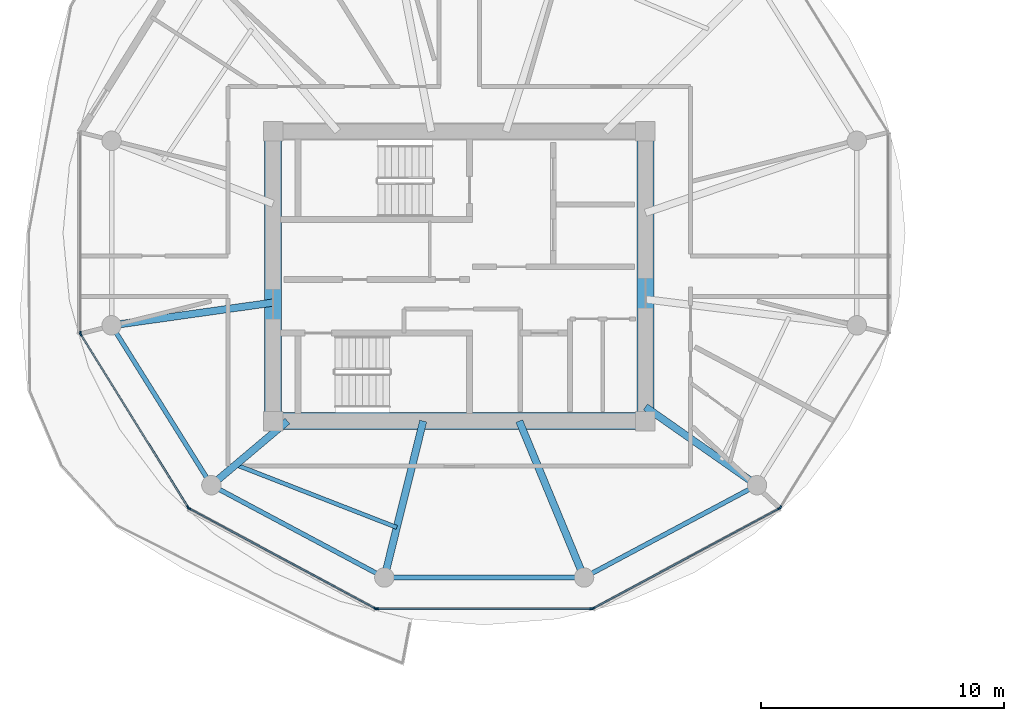
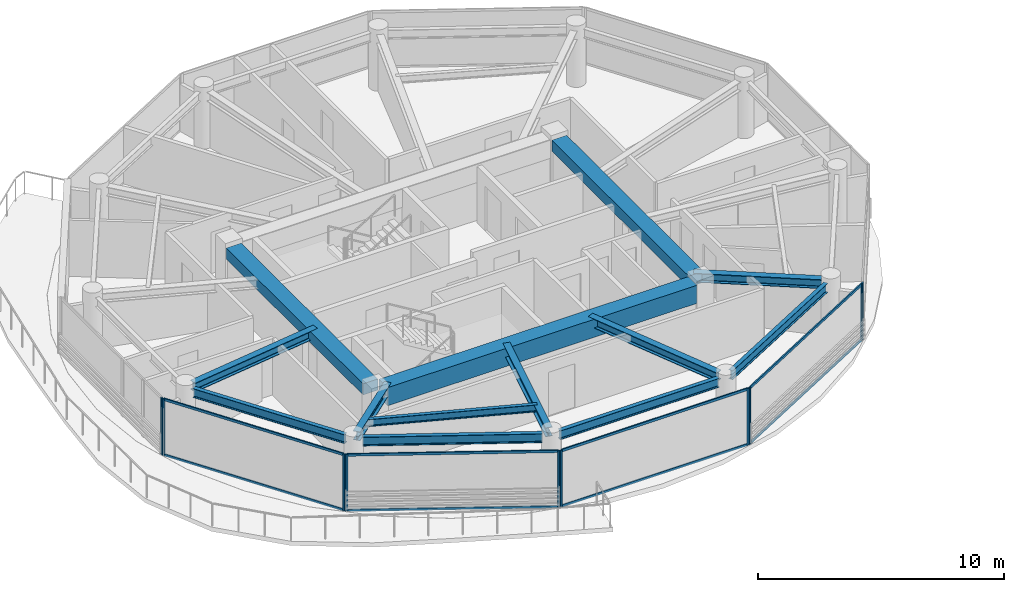
# One storey, part 2 of 23: 18 members, 13 beams, 6 elements without a shape of their own.
"""IFC4 building model written with IfcOpenShell, lengths in metres."""

from ifc_helpers import new_model, si_unit, direction, frame, origin, origin_2d, place, context, subcontext, project, spatial, rectangle, i_section, extrude, source, transform, mapped, material, layer, layer_set, material_profile, profile_set, type_object, type_shapes, element, aggregate, save


model = new_model("IFC4")

# Units and contexts
model_context = context("Model", 3, precision=1e-05, world=origin(), true_north=direction((0.0, 1.0)))
body_context = subcontext(model_context, "Body", "Model", "MODEL_VIEW")
ifc_project = project(units=[si_unit("LENGTHUNIT", "METRE"), si_unit("AREAUNIT", "SQUARE_METRE"), si_unit("VOLUMEUNIT", "CUBIC_METRE"), si_unit("PLANEANGLEUNIT", "RADIAN"), si_unit("MASSUNIT", "GRAM", prefix="KILO")], contexts=[model_context])

# Site, building, storey
site_placement = place(None, origin())
site = spatial("IfcSite", under=ifc_project, at=site_placement, CompositionType="ELEMENT")
building_placement = place(site_placement, origin())
building = spatial("IfcBuilding", under=site, at=building_placement, Name="Norrkilde Senior Care Towers", CompositionType="ELEMENT")
storey_placement = place(building_placement, frame((0.0, 0.0, 164.800048828125)))
storey = spatial("IfcBuildingStorey", under=building, at=storey_placement, Name="L51", CompositionType="ELEMENT", Elevation=164.800048828125)

# Beams
ifc_material_1 = material(Name="Concrete C60/75", Category="concrete")
ifc_material_profile_1 = material_profile(ifc_material_1, rectangle(XDim=0.699951171875, YDim=0.89990234375, at=origin_2d()), Name="RC BM 700x900")
ifc_profile_set_1 = profile_set([ifc_material_profile_1], Name="Concrete C60/75")
beam_type_1 = type_object("IfcBeamType", Name="Core Coupling Girder 700x900", PredefinedType="USERDEFINED", material=ifc_profile_set_1)
shared_shape_1 = source(origin(), body_context, "Body", "SweptSolid", [
    extrude(rectangle(XDim=0.699951171875, YDim=0.89990234375, at=origin_2d()), origin(), (0.0, 0.0, 1.0), 14.5400390625),
])
type_shapes(beam_type_1, [shared_shape_1])
beam_1_placement = place(storey_placement, frame((-35.27001953125, -5.949951171875, 2.35986328125), z_axis=(1.0, 0.0, 0.0), x_axis=(0.0, 1.0, 0.0)))
element("IfcBeam", 1, at=beam_1_placement, inside=storey, type_object=beam_type_1, Name="L51 Core W S Coupling Girder", ObjectType="GIRDER", PredefinedType="USERDEFINED", context=body_context, shape_type="MappedRepresentation", body=[
    mapped(shared_shape_1, transform((0.0, 0.0, 0.0), x_axis=(1.0, 0.0, 0.0), y_axis=(0.0, 1.0, 0.0), z_axis=(0.0, 0.0, 1.0), scale=1.0)),
])
ifc_material_profile_2 = material_profile(ifc_material_1, rectangle(XDim=0.699951171875, YDim=0.550048828125, at=origin_2d()), Name="RC BM 700x550")
ifc_profile_set_2 = profile_set([ifc_material_profile_2], Name="Concrete C60/75")
beam_type_2 = type_object("IfcBeamType", Name="Core Portal Coupling Beam 700x550", PredefinedType="USERDEFINED", material=ifc_profile_set_2)
shared_shape_2 = source(origin(), body_context, "Body", "SweptSolid", [
    extrude(rectangle(XDim=0.699951171875, YDim=0.550048828125, at=origin_2d()), origin(), (0.0, 0.0, 1.0), 11.14013671875),
])
type_shapes(beam_type_2, [shared_shape_2])
for number, where, z_axis, x_axis, name in (
    (2, (-35.64990234375, -5.570068359375, 2.534912109375), (0.0, 1.0, 0.0), (-1.0, 0.0, 0.0), "L51 Core W W Coupling Girder"),
    (3, (-20.35009765625, -5.570068359375, 2.534912109375), (0.0, 1.0, 0.0), (-1.0, 0.0, 0.0), "L51 Core W E Coupling Girder"),
):
    element("IfcBeam", number, at=place(storey_placement, frame(where, z_axis=z_axis, x_axis=x_axis)), inside=storey, type_object=beam_type_2, Name=name, ObjectType="GIRDER", PredefinedType="USERDEFINED", context=body_context, shape_type="MappedRepresentation", body=[
        mapped(shared_shape_2, transform((0.0, 0.0, 0.0), x_axis=(1.0, 0.0, 0.0), y_axis=(0.0, 1.0, 0.0), z_axis=(0.0, 0.0, 1.0), scale=1.0)),
    ])
ifc_material_2 = material(Name="Steel S355", Category="steel")
ifc_material_profile_3 = material_profile(ifc_material_2, i_section(OverallWidth=0.18994140625, OverallDepth=0.449951171875, WebThickness=0.009521484375, FlangeThickness=0.0146484375, FilletRadius=0.02099609375, at=origin_2d()), Name="IPE 450")
ifc_profile_set_3 = profile_set([ifc_material_profile_3], Name="Steel S355")
beam_type_3 = type_object("IfcBeamType", Name="Perimeter Ring Spandrel Z3 IPE450", PredefinedType="SPANDREL", material=ifc_profile_set_3)
shared_shape_3 = source(origin(), body_context, "Body", "SweptSolid", [
    extrude(i_section(OverallWidth=0.18994140625, OverallDepth=0.449951171875, WebThickness=0.009521484375, FlangeThickness=0.0146484375, FilletRadius=0.02099609375, at=origin_2d()), origin(), (0.0, 0.0, 1.0), 7.484619140625),
])
beam_2_placement = place(storey_placement, frame((-30.71728515625, -12.37548828125, 2.5849609375), z_axis=(1.0, 0.0, 0.0), x_axis=(0.0, 1.0, 0.0)))
element("IfcBeam", 4, at=beam_2_placement, inside=storey, type_object=beam_type_3, Name="L51 Drum W Perimeter Spandrel 09", PredefinedType="SPANDREL", context=body_context, shape_type="MappedRepresentation", body=[
    mapped(shared_shape_3, transform((0.0, 0.0, 0.0), x_axis=(1.0, 0.0, 0.0), y_axis=(0.0, 1.0, 0.0), z_axis=(0.0, 0.0, 1.0), scale=1.0)),
])
shared_shape_4 = source(origin(), body_context, "Body", "SweptSolid", [
    extrude(i_section(OverallWidth=0.18994140625, OverallDepth=0.449951171875, WebThickness=0.009521484375, FlangeThickness=0.0146484375, FilletRadius=0.02099609375, at=origin_2d()), origin(), (0.0, 0.0, 1.0), 7.023193359375),
])
beam_3_placement = place(storey_placement, frame((-42.09423828125, -2.32177734375, 2.5849609375), z_axis=(0.529805197269, -0.848119362441, 0.0), x_axis=(0.848119362441, 0.529805197269, 0.0)))
element("IfcBeam", 5, at=beam_3_placement, inside=storey, type_object=beam_type_3, Name="L51 Drum W Perimeter Spandrel 07", PredefinedType="SPANDREL", context=body_context, shape_type="MappedRepresentation", body=[
    mapped(shared_shape_4, transform((0.0, 0.0, 0.0), x_axis=(1.0, 0.0, 0.0), y_axis=(0.0, 1.0, 0.0), z_axis=(0.0, 0.0, 1.0), scale=1.0)),
])
ifc_material_profile_4 = material_profile(ifc_material_2, i_section(OverallWidth=0.300048828125, OverallDepth=0.449951171875, WebThickness=0.013916015625, FlangeThickness=0.02587890625, FilletRadius=0.027099609375, at=origin_2d()), Name="HEB 450")
ifc_profile_set_4 = profile_set([ifc_material_profile_4], Name="Steel S355")
beam_type_4 = type_object("IfcBeamType", Name="Radial Floor Beam Z3 HEB450", PredefinedType="BEAM", material=ifc_profile_set_4)
shared_shape_5 = source(origin(), body_context, "Body", "SweptSolid", [
    extrude(i_section(OverallWidth=0.300048828125, OverallDepth=0.449951171875, WebThickness=0.013916015625, FlangeThickness=0.02587890625, FilletRadius=0.027099609375, at=origin_2d()), origin(), (0.0, 0.0, 1.0), 6.3408203125),
])
beam_4_placement = place(storey_placement, frame((-35.64990234375, -1.079833984375, 2.5849609375), z_axis=(-0.990184519576, -0.139766294905, 0.0), x_axis=(0.139766294905, -0.990184519576, 0.0)))
element("IfcBeam", 6, at=beam_4_placement, inside=storey, type_object=beam_type_4, Name="L51 Drum W Radial Floor Beam 07", PredefinedType="BEAM", context=body_context, shape_type="MappedRepresentation", body=[
    mapped(shared_shape_5, transform((0.0, 0.0, 0.0), x_axis=(1.0, 0.0, 0.0), y_axis=(0.0, 1.0, 0.0), z_axis=(0.0, 0.0, 1.0), scale=1.0)),
])
shared_shape_6 = source(origin(), body_context, "Body", "SweptSolid", [
    extrude(i_section(OverallWidth=0.18994140625, OverallDepth=0.449951171875, WebThickness=0.009521484375, FlangeThickness=0.0146484375, FilletRadius=0.02099609375, at=origin_2d()), origin(), (0.0, 0.0, 1.0), 7.333984375),
])
type_shapes(beam_type_3, [shared_shape_3, shared_shape_4, shared_shape_6])
for number, where, z_axis, x_axis, name in (
    (7, (-37.864990234375, -8.753173828125, 2.5849609375), (0.882234038987, -0.470811109101, 0.0), (0.470811109101, 0.882234038987, 0.0), "L51 Drum W Perimeter Spandrel 08"),
    (8, (-22.55517578125, -12.2060546875, 2.5849609375), (0.882234038987, 0.470811109101, 0.0), (-0.470811109101, 0.882234038987, 0.0), "L51 Drum W Perimeter Spandrel 10"),
):
    element("IfcBeam", number, at=place(storey_placement, frame(where, z_axis=z_axis, x_axis=x_axis)), inside=storey, type_object=beam_type_3, Name=name, PredefinedType="SPANDREL", context=body_context, shape_type="MappedRepresentation", body=[
        mapped(shared_shape_6, transform((0.0, 0.0, 0.0), x_axis=(1.0, 0.0, 0.0), y_axis=(0.0, 1.0, 0.0), z_axis=(0.0, 0.0, 1.0), scale=1.0)),
    ])
shared_shape_7 = source(origin(), body_context, "Body", "SweptSolid", [
    extrude(i_section(OverallWidth=0.300048828125, OverallDepth=0.449951171875, WebThickness=0.013916015625, FlangeThickness=0.02587890625, FilletRadius=0.027099609375, at=origin_2d()), origin(), (0.0, 0.0, 1.0), 3.7265625),
])
beam_5_placement = place(storey_placement, frame((-35.058349609375, -5.949951171875, 2.5849609375), z_axis=(-0.764567902106, -0.644543189453, 0.0), x_axis=(0.644543189453, -0.764567902106, 0.0)))
element("IfcBeam", 9, at=beam_5_placement, inside=storey, type_object=beam_type_4, Name="L51 Drum W Radial Floor Beam 08", PredefinedType="BEAM", context=body_context, shape_type="MappedRepresentation", body=[
    mapped(shared_shape_7, transform((0.0, 0.0, 0.0), x_axis=(1.0, 0.0, 0.0), y_axis=(0.0, 1.0, 0.0), z_axis=(0.0, 0.0, 1.0), scale=1.0)),
])
shared_shape_8 = source(origin(), body_context, "Body", "SweptSolid", [
    extrude(i_section(OverallWidth=0.300048828125, OverallDepth=0.449951171875, WebThickness=0.013916015625, FlangeThickness=0.02587890625, FilletRadius=0.027099609375, at=origin_2d()), origin(), (0.0, 0.0, 1.0), 6.26123046875),
])
beam_6_placement = place(storey_placement, frame((-29.4794921875, -5.949951171875, 2.5849609375), z_axis=(-0.241324375921, -0.970444509277, 0.0), x_axis=(0.970444509277, -0.241324375921, 0.0)))
element("IfcBeam", 10, at=beam_6_placement, inside=storey, type_object=beam_type_4, Name="L51 Drum W Radial Floor Beam 09", PredefinedType="BEAM", context=body_context, shape_type="MappedRepresentation", body=[
    mapped(shared_shape_8, transform((0.0, 0.0, 0.0), x_axis=(1.0, 0.0, 0.0), y_axis=(0.0, 1.0, 0.0), z_axis=(0.0, 0.0, 1.0), scale=1.0)),
])
shared_shape_9 = source(origin(), body_context, "Body", "SweptSolid", [
    extrude(i_section(OverallWidth=0.300048828125, OverallDepth=0.449951171875, WebThickness=0.013916015625, FlangeThickness=0.02587890625, FilletRadius=0.027099609375, at=origin_2d()), origin(), (0.0, 0.0, 1.0), 6.59521484375),
])
beam_7_placement = place(storey_placement, frame((-25.534912109375, -5.949951171875, 2.5849609375), z_axis=(0.382761541363, -0.923847174836, 0.0), x_axis=(0.923847174836, 0.382761541363, 0.0)))
element("IfcBeam", 11, at=beam_7_placement, inside=storey, type_object=beam_type_4, Name="L51 Drum W Radial Floor Beam 10", PredefinedType="BEAM", context=body_context, shape_type="MappedRepresentation", body=[
    mapped(shared_shape_9, transform((0.0, 0.0, 0.0), x_axis=(1.0, 0.0, 0.0), y_axis=(0.0, 1.0, 0.0), z_axis=(0.0, 0.0, 1.0), scale=1.0)),
])
shared_shape_10 = source(origin(), body_context, "Body", "SweptSolid", [
    extrude(i_section(OverallWidth=0.300048828125, OverallDepth=0.449951171875, WebThickness=0.013916015625, FlangeThickness=0.02587890625, FilletRadius=0.027099609375, at=origin_2d()), origin(), (0.0, 0.0, 1.0), 5.23828125),
])
type_shapes(beam_type_4, [shared_shape_5, shared_shape_7, shared_shape_8, shared_shape_9, shared_shape_10])
beam_8_placement = place(storey_placement, frame((-20.35009765625, -5.3681640625, 2.5849609375), z_axis=(0.818592061291, -0.574375345215, 0.0), x_axis=(0.574375345215, 0.818592061291, 0.0)))
element("IfcBeam", 12, at=beam_8_placement, inside=storey, type_object=beam_type_4, Name="L51 Drum W Radial Floor Beam 11", PredefinedType="BEAM", context=body_context, shape_type="MappedRepresentation", body=[
    mapped(shared_shape_10, transform((0.0, 0.0, 0.0), x_axis=(1.0, 0.0, 0.0), y_axis=(0.0, 1.0, 0.0), z_axis=(0.0, 0.0, 1.0), scale=1.0)),
])
ifc_material_profile_5 = material_profile(ifc_material_2, i_section(OverallWidth=0.169921875, OverallDepth=0.360107421875, WebThickness=0.008056640625, FlangeThickness=0.0126953125, FilletRadius=0.01806640625, at=origin_2d()), Name="IPE 360")
ifc_profile_set_5 = profile_set([ifc_material_profile_5], Name="Steel S355")
beam_type_5 = type_object("IfcBeamType", Name="Secondary Floor Joist IPE360", PredefinedType="JOIST", material=ifc_profile_set_5)
shared_shape_11 = source(origin(), body_context, "Body", "SweptSolid", [
    extrude(i_section(OverallWidth=0.169921875, OverallDepth=0.360107421875, WebThickness=0.008056640625, FlangeThickness=0.0126953125, FilletRadius=0.01806640625, at=origin_2d()), origin(), (0.0, 0.0, 1.0), 7.1015625),
])
type_shapes(beam_type_5, [shared_shape_11])
beam_9_placement = place(storey_placement, frame((-37.182861328125, -7.740966796875, 2.6298828125), z_axis=(0.931761231292, -0.363071629106, 0.0), x_axis=(0.363071629106, 0.931761231292, 0.0)))
element("IfcBeam", 13, at=beam_9_placement, inside=storey, type_object=beam_type_5, Name="L51 Drum W Secondary Floor Joist 3", PredefinedType="JOIST", context=body_context, shape_type="MappedRepresentation", body=[
    mapped(shared_shape_11, transform((0.0, 0.0, 0.0), x_axis=(1.0, 0.0, 0.0), y_axis=(0.0, 1.0, 0.0), z_axis=(0.0, 0.0, 1.0), scale=1.0)),
])

# Curtain wall, member
ifc_material_3 = material(Name="Triple Low-E Insulated Glazing", Category="glass")
ifc_layer = layer(ifc_material_3, 0.18994140625)
ifc_layer_set = layer_set([ifc_layer], Name="Triple Low-E Insulated Glazing")
curtain_wall_type = type_object("IfcCurtainWallType", Name="CW4 Zone 3 Senior Residence Curtain Wall", PredefinedType="NOTDEFINED", material=ifc_layer_set)
curtain_wall_1_placement = place(storey_placement, origin())
curtain_wall_1 = element("IfcCurtainWall", 14, at=curtain_wall_1_placement, inside=storey, type_object=curtain_wall_type, Name="L51 Drum W Curtain Wall 05", PredefinedType="NOTDEFINED")
ifc_material_4 = material(Name="Anodised Aluminium", Category="aluminium")
ifc_material_profile_6 = material_profile(ifc_material_4, rectangle(XDim=0.06494140625, YDim=0.14990234375, at=origin_2d()), Name="ALU MULL 65x150")
ifc_profile_set_6 = profile_set([ifc_material_profile_6], Name="Anodised Aluminium")
member_type_1 = type_object("IfcMemberType", Name="Curtain Wall Mullion Z3-Z4 65x150", PredefinedType="MULLION", material=ifc_profile_set_6)
shared_shape_12 = source(origin(), body_context, "Body", "SweptSolid", [
    extrude(rectangle(XDim=0.06494140625, YDim=0.14990234375, at=origin_2d()), origin(), (0.0, 0.0, 1.0), 2.81005859375),
])
type_shapes(member_type_1, [shared_shape_12])
member_1_placement = place(storey_placement, frame((-43.569580078125, -2.328125, 0.0), z_axis=(0.0, 0.0, 1.0), x_axis=(-1.0, 0.0, 0.0)))
member_1 = element("IfcMember", 15, at=member_1_placement, type_object=member_type_1, Name="CW-4 mullion 1", PredefinedType="MULLION", context=body_context, shape_type="MappedRepresentation", body=[
    mapped(shared_shape_12, transform((0.0, 0.0, 0.0), x_axis=(1.0, 0.0, 0.0), y_axis=(0.0, 1.0, 0.0), z_axis=(0.0, 0.0, 1.0), scale=1.0)),
])
aggregate(curtain_wall_1, [member_1])

# Curtain wall, members
curtain_wall_2_placement = place(storey_placement, origin())
curtain_wall_2 = element("IfcCurtainWall", 16, at=curtain_wall_2_placement, inside=storey, type_object=curtain_wall_type, Name="L51 Drum W Curtain Wall 06", PredefinedType="NOTDEFINED")
member_2_placement = place(storey_placement, frame((-39.14013671875, -9.49658203125, 0.0), z_axis=(0.0, 0.0, 1.0), x_axis=(-0.84963405474, -0.52737270789, 0.0)))
member_2 = element("IfcMember", 17, at=member_2_placement, type_object=member_type_1, Name="CW-4 mullion 1", PredefinedType="MULLION", context=body_context, shape_type="MappedRepresentation", body=[
    mapped(shared_shape_12, transform((0.0, 0.0, 0.0), x_axis=(1.0, 0.0, 0.0), y_axis=(0.0, 1.0, 0.0), z_axis=(0.0, 0.0, 1.0), scale=1.0)),
])
member_3_placement = place(storey_placement, frame((-43.552490234375, -2.38818359375, 0.0), z_axis=(0.0, 0.0, 1.0), x_axis=(-0.84963405474, -0.52737270789, 0.0)))
member_3 = element("IfcMember", 18, at=member_3_placement, type_object=member_type_1, Name="CW-4 mullion 2", PredefinedType="MULLION", context=body_context, shape_type="MappedRepresentation", body=[
    mapped(shared_shape_12, transform((0.0, 0.0, 0.0), x_axis=(1.0, 0.0, 0.0), y_axis=(0.0, 1.0, 0.0), z_axis=(0.0, 0.0, 1.0), scale=1.0)),
])

curtain_wall_3_placement = place(storey_placement, origin())
curtain_wall_3 = element("IfcCurtainWall", 19, at=curtain_wall_3_placement, inside=storey, type_object=curtain_wall_type, Name="L51 Drum W Curtain Wall 07", PredefinedType="NOTDEFINED")
member_4_placement = place(storey_placement, frame((-31.4501953125, -13.644775390625, 0.0), z_axis=(0.0, 0.0, 1.0), x_axis=(-0.47311715104, -0.880999524059, 0.0)))
member_4 = element("IfcMember", 20, at=member_4_placement, type_object=member_type_1, Name="CW-4 mullion 1", PredefinedType="MULLION", context=body_context, shape_type="MappedRepresentation", body=[
    mapped(shared_shape_12, transform((0.0, 0.0, 0.0), x_axis=(1.0, 0.0, 0.0), y_axis=(0.0, 1.0, 0.0), z_axis=(0.0, 0.0, 1.0), scale=1.0)),
])
member_5_placement = place(storey_placement, frame((-39.094482421875, -9.53955078125, 0.0), z_axis=(0.0, 0.0, 1.0), x_axis=(-0.47311715104, -0.880999524059, 0.0)))
member_5 = element("IfcMember", 21, at=member_5_placement, type_object=member_type_1, Name="CW-4 mullion 2", PredefinedType="MULLION", context=body_context, shape_type="MappedRepresentation", body=[
    mapped(shared_shape_12, transform((0.0, 0.0, 0.0), x_axis=(1.0, 0.0, 0.0), y_axis=(0.0, 1.0, 0.0), z_axis=(0.0, 0.0, 1.0), scale=1.0)),
])

curtain_wall_4_placement = place(storey_placement, origin())
curtain_wall_4 = element("IfcCurtainWall", 22, at=curtain_wall_4_placement, inside=storey, type_object=curtain_wall_type, Name="L51 Drum W Curtain Wall 08", PredefinedType="NOTDEFINED")
member_6_placement = place(storey_placement, frame((-22.56103515625, -13.66015625, 0.0), z_axis=(0.0, 0.0, 1.0), x_axis=(0.0, -1.0, 0.0)))
member_6 = element("IfcMember", 23, at=member_6_placement, type_object=member_type_1, Name="CW-4 mullion 1", PredefinedType="MULLION", context=body_context, shape_type="MappedRepresentation", body=[
    mapped(shared_shape_12, transform((0.0, 0.0, 0.0), x_axis=(1.0, 0.0, 0.0), y_axis=(0.0, 1.0, 0.0), z_axis=(0.0, 0.0, 1.0), scale=1.0)),
])
member_7_placement = place(storey_placement, frame((-31.388916015625, -13.66015625, 0.0), z_axis=(0.0, 0.0, 1.0), x_axis=(0.0, -1.0, 0.0)))
member_7 = element("IfcMember", 24, at=member_7_placement, type_object=member_type_1, Name="CW-4 mullion 2", PredefinedType="MULLION", context=body_context, shape_type="MappedRepresentation", body=[
    mapped(shared_shape_12, transform((0.0, 0.0, 0.0), x_axis=(1.0, 0.0, 0.0), y_axis=(0.0, 1.0, 0.0), z_axis=(0.0, 0.0, 1.0), scale=1.0)),
])

curtain_wall_5_placement = place(storey_placement, origin())
curtain_wall_5 = element("IfcCurtainWall", 25, at=curtain_wall_5_placement, inside=storey, type_object=curtain_wall_type, Name="L51 Drum W Curtain Wall 09", PredefinedType="NOTDEFINED")
member_8_placement = place(storey_placement, frame((-14.85546875, -9.53955078125, 0.0), z_axis=(0.0, 0.0, 1.0), x_axis=(0.47311715104, -0.880999524059, 0.0)))
member_8 = element("IfcMember", 26, at=member_8_placement, type_object=member_type_1, Name="CW-4 mullion 1", PredefinedType="MULLION", context=body_context, shape_type="MappedRepresentation", body=[
    mapped(shared_shape_12, transform((0.0, 0.0, 0.0), x_axis=(1.0, 0.0, 0.0), y_axis=(0.0, 1.0, 0.0), z_axis=(0.0, 0.0, 1.0), scale=1.0)),
])
member_9_placement = place(storey_placement, frame((-22.499755859375, -13.644775390625, 0.0), z_axis=(0.0, 0.0, 1.0), x_axis=(0.47311715104, -0.880999524059, 0.0)))
member_9 = element("IfcMember", 27, at=member_9_placement, type_object=member_type_1, Name="CW-4 mullion 2", PredefinedType="MULLION", context=body_context, shape_type="MappedRepresentation", body=[
    mapped(shared_shape_12, transform((0.0, 0.0, 0.0), x_axis=(1.0, 0.0, 0.0), y_axis=(0.0, 1.0, 0.0), z_axis=(0.0, 0.0, 1.0), scale=1.0)),
])

# Curtain wall, member
curtain_wall_6_placement = place(storey_placement, origin())
curtain_wall_6 = element("IfcCurtainWall", 28, at=curtain_wall_6_placement, inside=storey, type_object=curtain_wall_type, Name="L51 Drum W Curtain Wall 10", PredefinedType="NOTDEFINED")
member_10_placement = place(storey_placement, frame((-14.809814453125, -9.49658203125, 0.0), z_axis=(0.0, 0.0, 1.0), x_axis=(0.84963405474, -0.52737270789, 0.0)))
member_10 = element("IfcMember", 29, at=member_10_placement, type_object=member_type_1, Name="CW-4 mullion 2", PredefinedType="MULLION", context=body_context, shape_type="MappedRepresentation", body=[
    mapped(shared_shape_12, transform((0.0, 0.0, 0.0), x_axis=(1.0, 0.0, 0.0), y_axis=(0.0, 1.0, 0.0), z_axis=(0.0, 0.0, 1.0), scale=1.0)),
])
aggregate(curtain_wall_6, [member_10])

# Member
ifc_material_profile_7 = material_profile(ifc_material_4, rectangle(XDim=0.06005859375, YDim=0.1201171875, at=origin_2d()), Name="ALU TRAN 60x120")
ifc_profile_set_7 = profile_set([ifc_material_profile_7], Name="Anodised Aluminium")
member_type_2 = type_object("IfcMemberType", Name="Curtain Wall Transom Typical 60x120", PredefinedType="USERDEFINED", material=ifc_profile_set_7)
shared_shape_13 = source(origin(), body_context, "Body", "SweptSolid", [
    extrude(rectangle(XDim=0.06005859375, YDim=0.1201171875, at=origin_2d()), origin(), (0.0, 0.0, 1.0), 8.301513671875),
])
member_11_placement = place(storey_placement, frame((-39.157470703125, -9.468994140625, 0.030029296875), z_axis=(-0.527368718394, 0.849636531029, 0.0), x_axis=(-0.849636531029, -0.527368718394, 0.0)))
member_11 = element("IfcMember", 30, at=member_11_placement, type_object=member_type_2, Name="CW-4 transom 1.1", ObjectType="TRANSOM", PredefinedType="USERDEFINED", context=body_context, shape_type="MappedRepresentation", body=[
    mapped(shared_shape_13, transform((0.0, 0.0, 0.0), x_axis=(1.0, 0.0, 0.0), y_axis=(0.0, 1.0, 0.0), z_axis=(0.0, 0.0, 1.0), scale=1.0)),
])

member_12_placement = place(storey_placement, frame((-39.157470703125, -9.468994140625, 2.780029296875), z_axis=(-0.527368718394, 0.849636531029, 0.0), x_axis=(-0.849636531029, -0.527368718394, 0.0)))
member_12 = element("IfcMember", 31, at=member_12_placement, type_object=member_type_2, Name="CW-4 transom 1.2", ObjectType="TRANSOM", PredefinedType="USERDEFINED", context=body_context, shape_type="MappedRepresentation", body=[
    mapped(shared_shape_13, transform((0.0, 0.0, 0.0), x_axis=(1.0, 0.0, 0.0), y_axis=(0.0, 1.0, 0.0), z_axis=(0.0, 0.0, 1.0), scale=1.0)),
])

aggregate(curtain_wall_2, [member_2, member_3, member_11, member_12])

shared_shape_14 = source(origin(), body_context, "Body", "SweptSolid", [
    extrude(rectangle(XDim=0.06005859375, YDim=0.1201171875, at=origin_2d()), origin(), (0.0, 0.0, 1.0), 8.61181640625),
])
member_13_placement = place(storey_placement, frame((-14.88427734375, -9.554931640625, 0.030029296875), z_axis=(-0.880993991641, -0.473127452906, 0.0), x_axis=(0.473127452906, -0.880993991641, 0.0)))
member_13 = element("IfcMember", 32, at=member_13_placement, type_object=member_type_2, Name="CW-4 transom 1.1", ObjectType="TRANSOM", PredefinedType="USERDEFINED", context=body_context, shape_type="MappedRepresentation", body=[
    mapped(shared_shape_14, transform((0.0, 0.0, 0.0), x_axis=(1.0, 0.0, 0.0), y_axis=(0.0, 1.0, 0.0), z_axis=(0.0, 0.0, 1.0), scale=1.0)),
])

member_14_placement = place(storey_placement, frame((-14.88427734375, -9.554931640625, 2.780029296875), z_axis=(-0.880993991641, -0.473127452906, 0.0), x_axis=(0.473127452906, -0.880993991641, 0.0)))
member_14 = element("IfcMember", 33, at=member_14_placement, type_object=member_type_2, Name="CW-4 transom 1.2", ObjectType="TRANSOM", PredefinedType="USERDEFINED", context=body_context, shape_type="MappedRepresentation", body=[
    mapped(shared_shape_14, transform((0.0, 0.0, 0.0), x_axis=(1.0, 0.0, 0.0), y_axis=(0.0, 1.0, 0.0), z_axis=(0.0, 0.0, 1.0), scale=1.0)),
])

aggregate(curtain_wall_5, [member_8, member_9, member_13, member_14])

shared_shape_15 = source(origin(), body_context, "Body", "SweptSolid", [
    extrude(rectangle(XDim=0.06005859375, YDim=0.1201171875, at=origin_2d()), origin(), (0.0, 0.0, 1.0), 8.762939453125),
])
member_15_placement = place(storey_placement, frame((-22.593505859375, -13.66015625, 0.030029296875), z_axis=(-1.0, 0.0, 0.0), x_axis=(0.0, -1.0, 0.0)))
member_15 = element("IfcMember", 34, at=member_15_placement, type_object=member_type_2, Name="CW-4 transom 1.1", ObjectType="TRANSOM", PredefinedType="USERDEFINED", context=body_context, shape_type="MappedRepresentation", body=[
    mapped(shared_shape_15, transform((0.0, 0.0, 0.0), x_axis=(1.0, 0.0, 0.0), y_axis=(0.0, 1.0, 0.0), z_axis=(0.0, 0.0, 1.0), scale=1.0)),
])

member_16_placement = place(storey_placement, frame((-22.593505859375, -13.66015625, 2.780029296875), z_axis=(-1.0, 0.0, 0.0), x_axis=(0.0, -1.0, 0.0)))
member_16 = element("IfcMember", 35, at=member_16_placement, type_object=member_type_2, Name="CW-4 transom 1.2", ObjectType="TRANSOM", PredefinedType="USERDEFINED", context=body_context, shape_type="MappedRepresentation", body=[
    mapped(shared_shape_15, transform((0.0, 0.0, 0.0), x_axis=(1.0, 0.0, 0.0), y_axis=(0.0, 1.0, 0.0), z_axis=(0.0, 0.0, 1.0), scale=1.0)),
])

aggregate(curtain_wall_4, [member_6, member_7, member_15, member_16])

shared_shape_16 = source(origin(), body_context, "Body", "SweptSolid", [
    extrude(rectangle(XDim=0.06005859375, YDim=0.1201171875, at=origin_2d()), origin(), (0.0, 0.0, 1.0), 8.612060546875),
])
type_shapes(member_type_2, [shared_shape_13, shared_shape_14, shared_shape_15, shared_shape_16])
member_17_placement = place(storey_placement, frame((-31.478759765625, -13.62939453125, 0.030029296875), z_axis=(-0.881000337462, 0.473115636384, 0.0), x_axis=(-0.473115636384, -0.881000337462, 0.0)))
member_17 = element("IfcMember", 36, at=member_17_placement, type_object=member_type_2, Name="CW-4 transom 1.1", ObjectType="TRANSOM", PredefinedType="USERDEFINED", context=body_context, shape_type="MappedRepresentation", body=[
    mapped(shared_shape_16, transform((0.0, 0.0, 0.0), x_axis=(1.0, 0.0, 0.0), y_axis=(0.0, 1.0, 0.0), z_axis=(0.0, 0.0, 1.0), scale=1.0)),
])

member_18_placement = place(storey_placement, frame((-31.478759765625, -13.62939453125, 2.780029296875), z_axis=(-0.881000337462, 0.473115636384, 0.0), x_axis=(-0.473115636384, -0.881000337462, 0.0)))
member_18 = element("IfcMember", 37, at=member_18_placement, type_object=member_type_2, Name="CW-4 transom 1.2", ObjectType="TRANSOM", PredefinedType="USERDEFINED", context=body_context, shape_type="MappedRepresentation", body=[
    mapped(shared_shape_16, transform((0.0, 0.0, 0.0), x_axis=(1.0, 0.0, 0.0), y_axis=(0.0, 1.0, 0.0), z_axis=(0.0, 0.0, 1.0), scale=1.0)),
])

aggregate(curtain_wall_3, [member_4, member_5, member_17, member_18])

save(model, "model.ifc")
